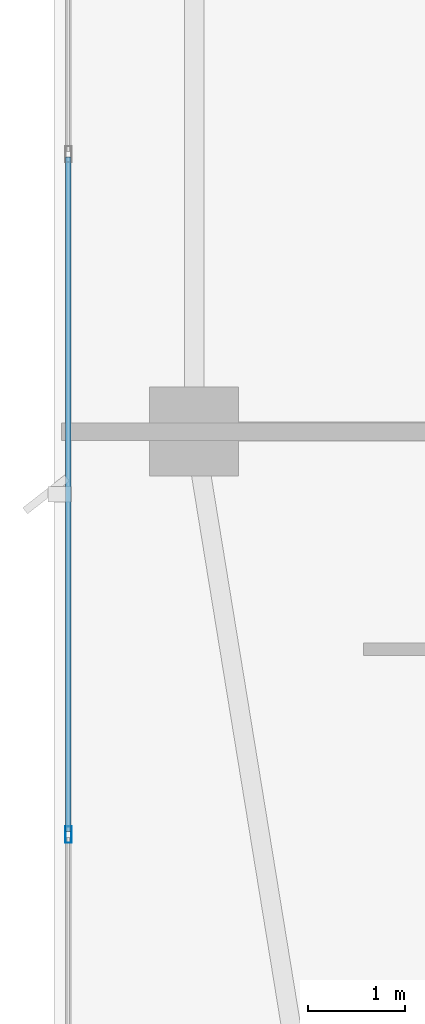
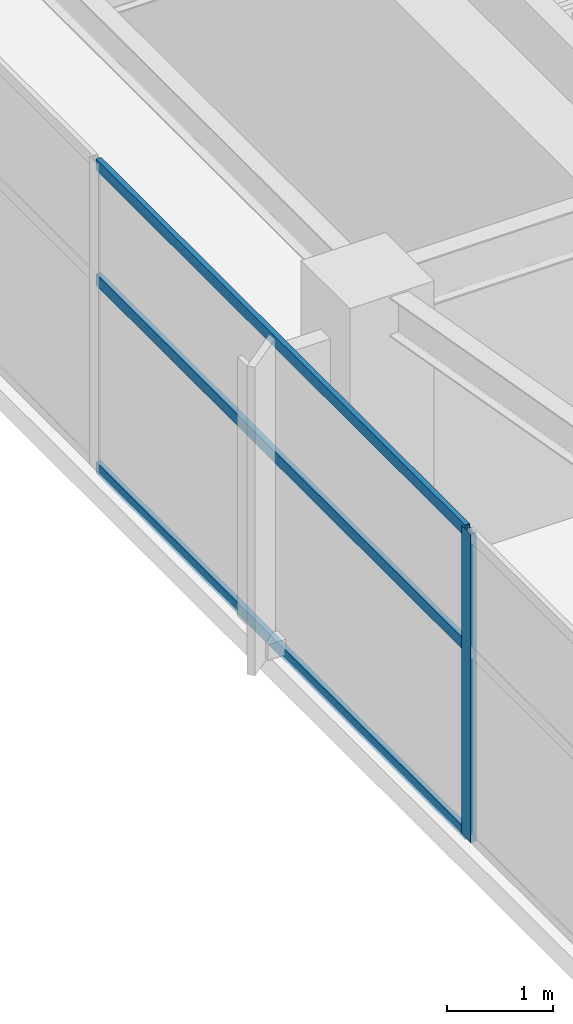
# One storey, part 5 of 28: 4 members, 1 element without a shape of its own.
"""IFC4 building model written with IfcOpenShell, lengths in metres."""

from ifc_helpers import new_model, si_unit, direction, frame, origin, origin_2d, place, context, subcontext, project, spatial, hollow_rectangle, extrude, material, layer, layer_set, material_profile, profile_set, type_object, element, aggregate, save


model = new_model("IFC4")

# Units and contexts
model_context = context("Model", 3, precision=1e-05, world=origin(), true_north=direction((0.0, 1.0)))
body_context = subcontext(model_context, "Body", "Model", "MODEL_VIEW")
ifc_project = project(units=[si_unit("LENGTHUNIT", "METRE"), si_unit("AREAUNIT", "SQUARE_METRE"), si_unit("VOLUMEUNIT", "CUBIC_METRE"), si_unit("PLANEANGLEUNIT", "RADIAN"), si_unit("MASSUNIT", "GRAM", prefix="KILO")], contexts=[model_context])

# Site, building, storey
site_placement = place(None, origin())
site = spatial("IfcSite", under=ifc_project, at=site_placement, CompositionType="ELEMENT")
building_placement = place(site_placement, origin())
building = spatial("IfcBuilding", under=site, at=building_placement, Name="Calvorn Quay Hotel", CompositionType="ELEMENT")
storey_placement = place(building_placement, frame((0.0, 0.0, 271.10009765625)))
storey = spatial("IfcBuildingStorey", under=building, at=storey_placement, Name="L67", CompositionType="ELEMENT", Elevation=271.10009765625)

# Curtain wall, members
ifc_material_1 = material(Name="Champagne Bronze Anodised Aluminium and Low-E Glass", Category="aluminium")
ifc_layer = layer(ifc_material_1, 0.219970703125)
ifc_layer_set = layer_set([ifc_layer], Name="CW-SYS-Z4")
curtain_wall_type = type_object("IfcCurtainWallType", Name="CW-SYS-Z4", PredefinedType="NOTDEFINED", material=ifc_layer_set)
curtain_wall_placement = place(storey_placement, origin())
curtain_wall = element("IfcCurtainWall", 1, at=curtain_wall_placement, inside=storey, type_object=curtain_wall_type, Name="Tower West Curtain Wall (L67)", PredefinedType="NOTDEFINED")
ifc_material_2 = material(Name="Champagne Bronze Anodised Aluminium 6063-T6", Category="aluminium")
ifc_material_profile_1 = material_profile(ifc_material_2, hollow_rectangle(XDim=0.06494140625, YDim=0.169921875, WallThickness=0.00341796875, at=origin_2d()), Name="ALU-M170x65x3.5")
ifc_profile_set_1 = profile_set([ifc_material_profile_1], Name="Champagne Bronze Anodised Aluminium 6063-T6")
member_type_1 = type_object("IfcMemberType", Name="CW-SYS-Z4-MUL", PredefinedType="MULLION", material=ifc_profile_set_1)
member_1_placement = place(storey_placement, frame((0.14990234375, 12.63330078125, 0.0), z_axis=(0.0, 0.0, 1.0), x_axis=(-1.0, 0.0, 0.0)))
member_1 = element("IfcMember", 2, at=member_1_placement, type_object=member_type_1, Name="CW-L67-W mullion 2", PredefinedType="MULLION", context=body_context, shape_type="SweptSolid", body=[
    extrude(hollow_rectangle(XDim=0.06494140625, YDim=0.169921875, WallThickness=0.00341796875, at=origin_2d()), origin(), (0.0, 0.0, 1.0), 3.559814453125),
])
ifc_material_3 = material(Name="Champagne Bronze Anodised Aluminium 6063-T6", Category="aluminium")
ifc_material_profile_2 = material_profile(ifc_material_3, hollow_rectangle(XDim=0.054931640625, YDim=0.1298828125, WallThickness=0.003173828125, at=origin_2d()), Name="ALU-T130x55x3.2")
ifc_profile_set_2 = profile_set([ifc_material_profile_2], Name="Champagne Bronze Anodised Aluminium 6063-T6")
member_type_2 = type_object("IfcMemberType", Name="CW-SYS-Z4-TRN", PredefinedType="USERDEFINED", material=ifc_profile_set_2)
member_2_placement = place(storey_placement, frame((0.14990234375, 12.663330078125, 0.02978515625), z_axis=(0.0, 1.0, 0.0), x_axis=(-1.0, 0.0, 0.0)))
member_2 = element("IfcMember", 3, at=member_2_placement, type_object=member_type_2, Name="CW-L67-W transom 2.1", ObjectType="TRANSOM", PredefinedType="USERDEFINED", context=body_context, shape_type="SweptSolid", body=[
    extrude(hollow_rectangle(XDim=0.054931640625, YDim=0.1298828125, WallThickness=0.003173828125, at=origin_2d()), origin(), (0.0, 0.0, 1.0), 6.973388671875),
])
member_3_placement = place(storey_placement, frame((0.14990234375, 12.663330078125, 2.199951171875), z_axis=(0.0, 1.0, 0.0), x_axis=(-1.0, 0.0, 0.0)))
member_3 = element("IfcMember", 4, at=member_3_placement, type_object=member_type_2, Name="CW-L67-W transom 2.2", ObjectType="TRANSOM", PredefinedType="USERDEFINED", context=body_context, shape_type="SweptSolid", body=[
    extrude(hollow_rectangle(XDim=0.054931640625, YDim=0.1298828125, WallThickness=0.003173828125, at=origin_2d()), origin(), (0.0, 0.0, 1.0), 6.973388671875),
])
member_4_placement = place(storey_placement, frame((0.14990234375, 12.663330078125, 3.52978515625), z_axis=(0.0, 1.0, 0.0), x_axis=(-1.0, 0.0, 0.0)))
member_4 = element("IfcMember", 5, at=member_4_placement, type_object=member_type_2, Name="CW-L67-W transom 2.3", ObjectType="TRANSOM", PredefinedType="USERDEFINED", context=body_context, shape_type="SweptSolid", body=[
    extrude(hollow_rectangle(XDim=0.054931640625, YDim=0.1298828125, WallThickness=0.003173828125, at=origin_2d()), origin(), (0.0, 0.0, 1.0), 6.973388671875),
])
aggregate(curtain_wall, [member_1, member_2, member_3, member_4])

save(model, "model.ifc")
